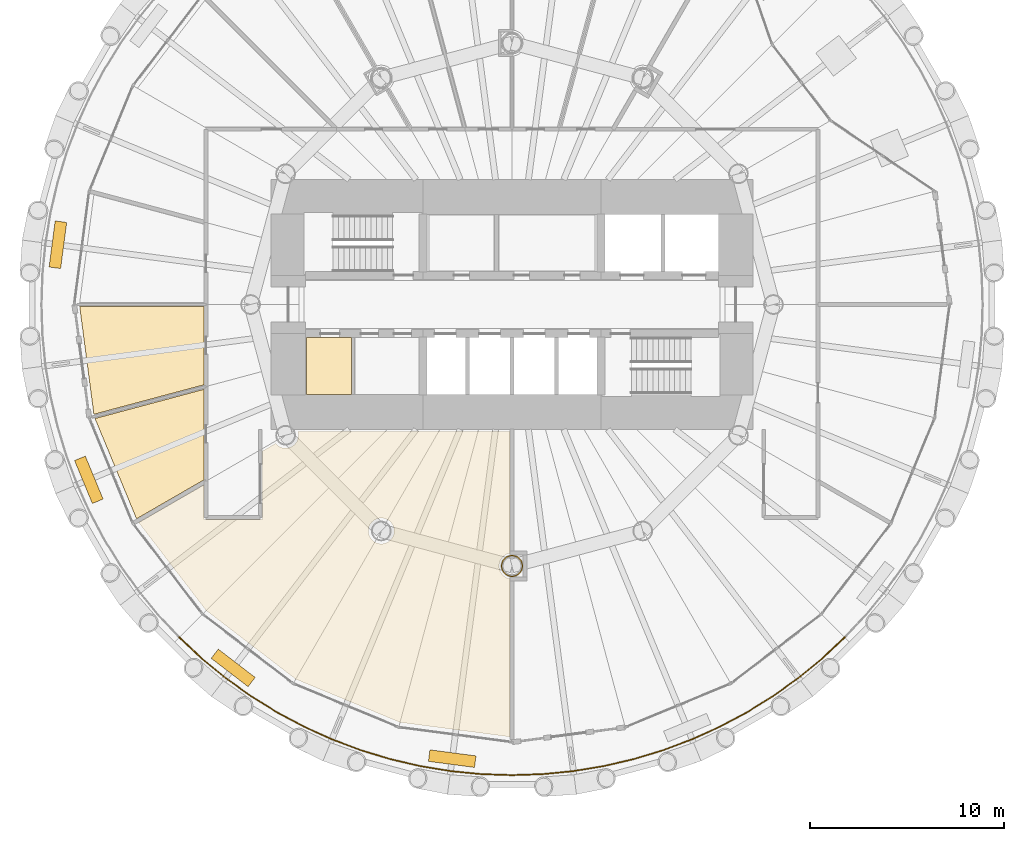
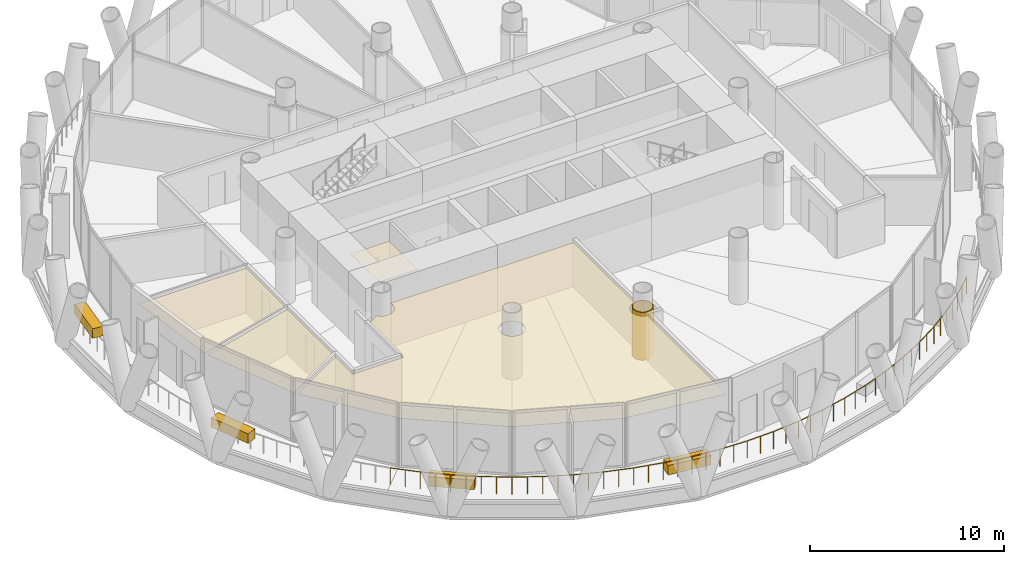
# One storey, part 13 of 16: 9 coverings, 1 railing.
"""IFC4 building model written with IfcOpenShell, lengths in metres."""

from ifc_helpers import new_model, si_unit, direction, frame, origin, origin_2d, place, context, subcontext, project, spatial, polyline, rectangle, circle, outline, extrude, material, layer, layer_set, type_object, element, save


model = new_model("IFC4")

# Units and contexts
model_context = context("Model", 3, precision=1e-05, world=origin(), true_north=direction((0.0, 1.0)))
body_context = subcontext(model_context, "Body", "Model", "MODEL_VIEW")
ifc_project = project(units=[si_unit("LENGTHUNIT", "METRE"), si_unit("AREAUNIT", "SQUARE_METRE"), si_unit("VOLUMEUNIT", "CUBIC_METRE"), si_unit("PLANEANGLEUNIT", "RADIAN"), si_unit("MASSUNIT", "GRAM", prefix="KILO")], contexts=[model_context])

# Site, building, storey
site_placement = place(None, origin())
site = spatial("IfcSite", under=ifc_project, at=site_placement, CompositionType="ELEMENT")
building_placement = place(site_placement, origin())
building = spatial("IfcBuilding", under=site, at=building_placement, Name="Qaws Media Tower", CompositionType="ELEMENT")
storey_placement = place(building_placement, frame((0.0, 0.0, 135.199951171875)))
storey = spatial("IfcBuildingStorey", under=building, at=storey_placement, Name="L30", CompositionType="ELEMENT", Elevation=135.199951171875)

# Railing
ifc_material_1 = material(Name="Stainless steel and glass guard", Category="steel")
railing_type = type_object("IfcRailingType", Name="Balcony guard 1100", PredefinedType="GUARDRAIL", material=ifc_material_1)
railing_placement = place(storey_placement, frame((42.8173828125, 32.8173828125, 0.0)))
element("IfcRailing", 1, at=railing_placement, inside=storey, type_object=railing_type, Name="GR1 balcony guard L30-3", PredefinedType="GUARDRAIL", context=body_context, shape_type="SweptSolid", body=[
    extrude(circle(Radius=0.02392578125, at=origin_2d()), frame((0.0, 0.0, 1.076171875), z_axis=(0.729762203547, -0.683701050367, 0.0), x_axis=(0.683701050367, 0.729762203547, 0.0)), (0.0, 0.0, 1.0), 1.590087890625),
    extrude(circle(Radius=0.02392578125, at=origin_2d()), frame((1.160400390625, -1.087158203125, 1.076171875), z_axis=(0.77301931576, -0.634382485148, 0.0), x_axis=(0.634382485148, 0.77301931576, 0.0)), (0.0, 0.0, 1.0), 1.590087890625),
    extrude(circle(Radius=0.02392578125, at=origin_2d()), frame((2.3896484375, -2.095947265625, 1.076171875), z_axis=(0.812871639536, -0.582442870708, 0.0), x_axis=(0.582442870708, 0.812871639536, 0.0)), (0.0, 0.0, 1.0), 1.59033203125),
    extrude(circle(Radius=0.02392578125, at=origin_2d()), frame((3.682373046875, -3.022216796875, 1.076171875), z_axis=(0.849229502539, -0.528023912354, 0.0), x_axis=(0.528023912354, 0.849229502539, 0.0)), (0.0, 0.0, 1.0), 1.590087890625),
    extrude(circle(Radius=0.02392578125, at=origin_2d()), frame((5.03271484375, -3.86181640625, 1.076171875), z_axis=(0.881936070718, -0.471369035011, 0.0), x_axis=(0.471369035011, 0.881936070718, 0.0)), (0.0, 0.0, 1.0), 1.590087890625),
    extrude(circle(Radius=0.02392578125, at=origin_2d()), frame((6.43505859375, -4.611328125, 1.076171875), z_axis=(0.910849638216, -0.412738339097, 0.0), x_axis=(0.412738339097, 0.910849638216, 0.0)), (0.0, 0.0, 1.0), 1.590087890625),
    extrude(circle(Radius=0.02392578125, at=origin_2d()), frame((7.88330078125, -5.267578125, 1.076171875), z_axis=(0.935874135155, -0.352334504623, 0.0), x_axis=(0.352334504623, 0.935874135155, 0.0)), (0.0, 0.0, 1.0), 1.59033203125),
    extrude(circle(Radius=0.02392578125, at=origin_2d()), frame((9.37158203125, -5.827880859375, 1.076171875), z_axis=(0.956972738036, -0.290177839706, 0.0), x_axis=(0.290177839706, 0.956972738036, 0.0)), (0.0, 0.0, 1.0), 1.590087890625),
    extrude(circle(Radius=0.02392578125, at=origin_2d()), frame((10.893310546875, -6.289306640625, 1.076171875), z_axis=(0.973876305837, -0.227079151243, 0.0), x_axis=(0.227079151243, 0.973876305837, 0.0)), (0.0, 0.0, 1.0), 1.590087890625),
    extrude(circle(Radius=0.02392578125, at=origin_2d()), frame((12.44189453125, -6.650390625, 1.076171875), z_axis=(0.986641774784, -0.162904905547, 0.0), x_axis=(0.162904905547, 0.986641774784, 0.0)), (0.0, 0.0, 1.0), 1.590087890625),
    extrude(circle(Radius=0.02392578125, at=origin_2d()), frame((14.0107421875, -6.909423828125, 1.076171875), z_axis=(0.995176055804, -0.098105137251, 0.0), x_axis=(0.098105137251, 0.995176055804, 0.0)), (0.0, 0.0, 1.0), 1.590087890625),
    extrude(circle(Radius=0.02392578125, at=origin_2d()), frame((15.59326171875, -7.0654296875, 1.076171875), z_axis=(0.999465166364, -0.032701394844, 0.0), x_axis=(0.032701394844, 0.999465166364, 0.0)), (0.0, 0.0, 1.0), 1.590087890625),
    extrude(circle(Radius=0.02392578125, at=origin_2d()), frame((17.1826171875, -7.117431640625, 1.076171875), z_axis=(0.999465166364, 0.032701394844, 0.0), x_axis=(-0.032701394844, 0.999465166364, 0.0)), (0.0, 0.0, 1.0), 1.590087890625),
    extrude(circle(Radius=0.02392578125, at=origin_2d()), frame((18.77197265625, -7.0654296875, 1.076171875), z_axis=(0.995176055804, 0.098105137251, 0.0), x_axis=(-0.098105137251, 0.995176055804, 0.0)), (0.0, 0.0, 1.0), 1.590087890625),
    extrude(circle(Radius=0.02392578125, at=origin_2d()), frame((20.3544921875, -6.909423828125, 1.076171875), z_axis=(0.986641774784, 0.162904905547, 0.0), x_axis=(-0.162904905547, 0.986641774784, 0.0)), (0.0, 0.0, 1.0), 1.590087890625),
    extrude(circle(Radius=0.02392578125, at=origin_2d()), frame((21.92333984375, -6.650390625, 1.076171875), z_axis=(0.973876305837, 0.227079151243, 0.0), x_axis=(-0.227079151243, 0.973876305837, 0.0)), (0.0, 0.0, 1.0), 1.590087890625),
    extrude(circle(Radius=0.02392578125, at=origin_2d()), frame((23.471923828125, -6.289306640625, 1.076171875), z_axis=(0.956972738036, 0.290177839706, 0.0), x_axis=(-0.290177839706, 0.956972738036, 0.0)), (0.0, 0.0, 1.0), 1.590087890625),
    extrude(circle(Radius=0.02392578125, at=origin_2d()), frame((24.99365234375, -5.827880859375, 1.076171875), z_axis=(0.935874135155, 0.352334504623, 0.0), x_axis=(-0.352334504623, 0.935874135155, 0.0)), (0.0, 0.0, 1.0), 1.59033203125),
    extrude(circle(Radius=0.02392578125, at=origin_2d()), frame((26.48193359375, -5.267578125, 1.076171875), z_axis=(0.910849638216, 0.412738339097, 0.0), x_axis=(-0.412738339097, 0.910849638216, 0.0)), (0.0, 0.0, 1.0), 1.590087890625),
    extrude(circle(Radius=0.02392578125, at=origin_2d()), frame((27.93017578125, -4.611328125, 1.076171875), z_axis=(0.881936070718, 0.471369035011, 0.0), x_axis=(-0.471369035011, 0.881936070718, 0.0)), (0.0, 0.0, 1.0), 1.590087890625),
    extrude(circle(Radius=0.02392578125, at=origin_2d()), frame((29.33251953125, -3.86181640625, 1.076171875), z_axis=(0.849229502539, 0.528023912354, 0.0), x_axis=(-0.528023912354, 0.849229502539, 0.0)), (0.0, 0.0, 1.0), 1.590087890625),
    extrude(circle(Radius=0.02392578125, at=origin_2d()), frame((30.682861328125, -3.022216796875, 1.076171875), z_axis=(0.812871639536, 0.582442870708, 0.0), x_axis=(-0.582442870708, 0.812871639536, 0.0)), (0.0, 0.0, 1.0), 1.59033203125),
    extrude(circle(Radius=0.02392578125, at=origin_2d()), frame((31.9755859375, -2.095947265625, 1.076171875), z_axis=(0.77301931576, 0.634382485148, 0.0), x_axis=(-0.634382485148, 0.77301931576, 0.0)), (0.0, 0.0, 1.0), 1.590087890625),
    extrude(circle(Radius=0.02392578125, at=origin_2d()), frame((33.204833984375, -1.087158203125, 1.076171875), z_axis=(0.729762203547, 0.683701050367, 0.0), x_axis=(-0.683701050367, 0.729762203547, 0.0)), (0.0, 0.0, 1.0), 1.590087890625),
    extrude(circle(Radius=0.02099609375, at=origin_2d()), origin(), (0.0, 0.0, 1.0), 1.052001953125),
    extrude(circle(Radius=0.02099609375, at=origin_2d()), frame((0.580078125, -0.54345703125, 0.0)), (0.0, 0.0, 1.0), 1.052001953125),
    extrude(circle(Radius=0.02099609375, at=origin_2d()), frame((1.160400390625, -1.087158203125, 0.0)), (0.0, 0.0, 1.0), 1.052001953125),
    extrude(circle(Radius=0.02099609375, at=origin_2d()), frame((1.77490234375, -1.591552734375, 0.0)), (0.0, 0.0, 1.0), 1.052001953125),
    extrude(circle(Radius=0.02099609375, at=origin_2d()), frame((2.3896484375, -2.095947265625, 0.0)), (0.0, 0.0, 1.0), 1.052001953125),
    extrude(circle(Radius=0.02099609375, at=origin_2d()), frame((3.0361328125, -2.55908203125, 0.0)), (0.0, 0.0, 1.0), 1.052001953125),
    extrude(circle(Radius=0.02099609375, at=origin_2d()), frame((3.682373046875, -3.022216796875, 0.0)), (0.0, 0.0, 1.0), 1.052001953125),
    extrude(circle(Radius=0.02099609375, at=origin_2d()), frame((4.357421875, -3.44189453125, 0.0)), (0.0, 0.0, 1.0), 1.052001953125),
    extrude(circle(Radius=0.02099609375, at=origin_2d()), frame((5.03271484375, -3.86181640625, 0.0)), (0.0, 0.0, 1.0), 1.052001953125),
    extrude(circle(Radius=0.02099609375, at=origin_2d()), frame((5.73388671875, -4.236572265625, 0.0)), (0.0, 0.0, 1.0), 1.052001953125),
    extrude(circle(Radius=0.02099609375, at=origin_2d()), frame((6.43505859375, -4.611328125, 0.0)), (0.0, 0.0, 1.0), 1.052001953125),
    extrude(circle(Radius=0.02099609375, at=origin_2d()), frame((7.1591796875, -4.939453125, 0.0)), (0.0, 0.0, 1.0), 1.052001953125),
    extrude(circle(Radius=0.02099609375, at=origin_2d()), frame((7.88330078125, -5.267578125, 0.0)), (0.0, 0.0, 1.0), 1.052001953125),
    extrude(circle(Radius=0.02099609375, at=origin_2d()), frame((8.62744140625, -5.5478515625, 0.0)), (0.0, 0.0, 1.0), 1.052001953125),
    extrude(circle(Radius=0.02099609375, at=origin_2d()), frame((9.37158203125, -5.827880859375, 0.0)), (0.0, 0.0, 1.0), 1.052001953125),
    extrude(circle(Radius=0.02099609375, at=origin_2d()), frame((10.13232421875, -6.05859375, 0.0)), (0.0, 0.0, 1.0), 1.052001953125),
    extrude(circle(Radius=0.02099609375, at=origin_2d()), frame((10.893310546875, -6.289306640625, 0.0)), (0.0, 0.0, 1.0), 1.052001953125),
    extrude(circle(Radius=0.02099609375, at=origin_2d()), frame((11.66748046875, -6.4697265625, 0.0)), (0.0, 0.0, 1.0), 1.052001953125),
    extrude(circle(Radius=0.02099609375, at=origin_2d()), frame((12.44189453125, -6.650390625, 0.0)), (0.0, 0.0, 1.0), 1.052001953125),
    extrude(circle(Radius=0.02099609375, at=origin_2d()), frame((13.226318359375, -6.77978515625, 0.0)), (0.0, 0.0, 1.0), 1.052001953125),
    extrude(circle(Radius=0.02099609375, at=origin_2d()), frame((14.0107421875, -6.909423828125, 0.0)), (0.0, 0.0, 1.0), 1.052001953125),
    extrude(circle(Radius=0.02099609375, at=origin_2d()), frame((14.802001953125, -6.9873046875, 0.0)), (0.0, 0.0, 1.0), 1.052001953125),
    extrude(circle(Radius=0.02099609375, at=origin_2d()), frame((15.59326171875, -7.0654296875, 0.0)), (0.0, 0.0, 1.0), 1.052001953125),
    extrude(circle(Radius=0.02099609375, at=origin_2d()), frame((16.387939453125, -7.09130859375, 0.0)), (0.0, 0.0, 1.0), 1.052001953125),
    extrude(circle(Radius=0.02099609375, at=origin_2d()), frame((17.1826171875, -7.117431640625, 0.0)), (0.0, 0.0, 1.0), 1.052001953125),
    extrude(circle(Radius=0.02099609375, at=origin_2d()), frame((17.977294921875, -7.09130859375, 0.0)), (0.0, 0.0, 1.0), 1.052001953125),
    extrude(circle(Radius=0.02099609375, at=origin_2d()), frame((18.77197265625, -7.0654296875, 0.0)), (0.0, 0.0, 1.0), 1.052001953125),
    extrude(circle(Radius=0.02099609375, at=origin_2d()), frame((19.563232421875, -6.9873046875, 0.0)), (0.0, 0.0, 1.0), 1.052001953125),
    extrude(circle(Radius=0.02099609375, at=origin_2d()), frame((20.3544921875, -6.909423828125, 0.0)), (0.0, 0.0, 1.0), 1.052001953125),
    extrude(circle(Radius=0.02099609375, at=origin_2d()), frame((21.138916015625, -6.77978515625, 0.0)), (0.0, 0.0, 1.0), 1.052001953125),
    extrude(circle(Radius=0.02099609375, at=origin_2d()), frame((21.92333984375, -6.650390625, 0.0)), (0.0, 0.0, 1.0), 1.052001953125),
    extrude(circle(Radius=0.02099609375, at=origin_2d()), frame((22.69775390625, -6.4697265625, 0.0)), (0.0, 0.0, 1.0), 1.052001953125),
    extrude(circle(Radius=0.02099609375, at=origin_2d()), frame((23.471923828125, -6.289306640625, 0.0)), (0.0, 0.0, 1.0), 1.052001953125),
    extrude(circle(Radius=0.02099609375, at=origin_2d()), frame((24.23291015625, -6.05859375, 0.0)), (0.0, 0.0, 1.0), 1.052001953125),
    extrude(circle(Radius=0.02099609375, at=origin_2d()), frame((24.99365234375, -5.827880859375, 0.0)), (0.0, 0.0, 1.0), 1.052001953125),
    extrude(circle(Radius=0.02099609375, at=origin_2d()), frame((25.73779296875, -5.5478515625, 0.0)), (0.0, 0.0, 1.0), 1.052001953125),
    extrude(circle(Radius=0.02099609375, at=origin_2d()), frame((26.48193359375, -5.267578125, 0.0)), (0.0, 0.0, 1.0), 1.052001953125),
    extrude(circle(Radius=0.02099609375, at=origin_2d()), frame((27.2060546875, -4.939453125, 0.0)), (0.0, 0.0, 1.0), 1.052001953125),
    extrude(circle(Radius=0.02099609375, at=origin_2d()), frame((27.93017578125, -4.611328125, 0.0)), (0.0, 0.0, 1.0), 1.052001953125),
    extrude(circle(Radius=0.02099609375, at=origin_2d()), frame((28.63134765625, -4.236572265625, 0.0)), (0.0, 0.0, 1.0), 1.052001953125),
    extrude(circle(Radius=0.02099609375, at=origin_2d()), frame((29.33251953125, -3.86181640625, 0.0)), (0.0, 0.0, 1.0), 1.052001953125),
    extrude(circle(Radius=0.02099609375, at=origin_2d()), frame((30.0078125, -3.44189453125, 0.0)), (0.0, 0.0, 1.0), 1.052001953125),
    extrude(circle(Radius=0.02099609375, at=origin_2d()), frame((30.682861328125, -3.022216796875, 0.0)), (0.0, 0.0, 1.0), 1.052001953125),
    extrude(circle(Radius=0.02099609375, at=origin_2d()), frame((31.3291015625, -2.55908203125, 0.0)), (0.0, 0.0, 1.0), 1.052001953125),
    extrude(circle(Radius=0.02099609375, at=origin_2d()), frame((31.9755859375, -2.095947265625, 0.0)), (0.0, 0.0, 1.0), 1.052001953125),
    extrude(circle(Radius=0.02099609375, at=origin_2d()), frame((32.59033203125, -1.591552734375, 0.0)), (0.0, 0.0, 1.0), 1.052001953125),
    extrude(circle(Radius=0.02099609375, at=origin_2d()), frame((33.204833984375, -1.087158203125, 0.0)), (0.0, 0.0, 1.0), 1.052001953125),
    extrude(circle(Radius=0.02099609375, at=origin_2d()), frame((33.78515625, -0.54345703125, 0.0)), (0.0, 0.0, 1.0), 1.052001953125),
    extrude(circle(Radius=0.02099609375, at=origin_2d()), frame((34.365234375, 0.0, 0.0)), (0.0, 0.0, 1.0), 1.052001953125),
])

# Coverings
ifc_material_2 = material(Name="Two layers 15 fire-rated gypsum board on steel framing", Category="steel")
ifc_layer_1 = layer(ifc_material_2, 0.050048828125)
ifc_layer_set_1 = layer_set([ifc_layer_1], Name="Column fire casing")
covering_type_1 = type_object("IfcCoveringType", Name="Column fire casing", PredefinedType="CLADDING", material=ifc_layer_set_1)
covering_1_placement = place(storey_placement, origin())
element("IfcCovering", 2, at=covering_1_placement, inside=storey, type_object=covering_type_1, Name="CC1 column casing L30", PredefinedType="CLADDING", context=body_context, shape_type="SweptSolid", body=[
    extrude(outline(polyline([(60.56298828125, 36.5), (60.55810546875, 36.426513671875), (60.543701171875, 36.354248046875), (60.52001953125, 36.284423828125), (60.487548828125, 36.218505859375), (60.44677734375, 36.1572265625), (60.398193359375, 36.101806640625), (60.3427734375, 36.05322265625), (60.281494140625, 36.012451171875), (60.215576171875, 35.97998046875), (60.145751953125, 35.956298828125), (60.073486328125, 35.94189453125), (60.0, 35.93701171875), (59.926513671875, 35.94189453125), (59.854248046875, 35.956298828125), (59.784423828125, 35.97998046875), (59.718505859375, 36.012451171875), (59.6572265625, 36.05322265625), (59.601806640625, 36.101806640625), (59.55322265625, 36.1572265625), (59.512451171875, 36.218505859375), (59.47998046875, 36.284423828125), (59.456298828125, 36.354248046875), (59.44189453125, 36.426513671875), (59.43701171875, 36.5), (59.44189453125, 36.573486328125), (59.456298828125, 36.645751953125), (59.47998046875, 36.715576171875), (59.512451171875, 36.781494140625), (59.55322265625, 36.8427734375), (59.601806640625, 36.898193359375), (59.6572265625, 36.94677734375), (59.718505859375, 36.987548828125), (59.784423828125, 37.02001953125), (59.854248046875, 37.043701171875), (59.926513671875, 37.05810546875), (60.0, 37.06298828125), (60.073486328125, 37.05810546875), (60.145751953125, 37.043701171875), (60.215576171875, 37.02001953125), (60.281494140625, 36.987548828125), (60.3427734375, 36.94677734375), (60.398193359375, 36.898193359375), (60.44677734375, 36.8427734375), (60.487548828125, 36.781494140625), (60.52001953125, 36.715576171875), (60.543701171875, 36.645751953125), (60.55810546875, 36.573486328125), (60.56298828125, 36.5)]), holes=[polyline([(60.510986328125, 36.5), (60.506591796875, 36.433349609375), (60.49365234375, 36.36767578125), (60.47216796875, 36.304443359375), (60.4423828125, 36.244384765625), (60.405517578125, 36.18896484375), (60.361328125, 36.138671875), (60.31103515625, 36.094482421875), (60.255615234375, 36.0576171875), (60.195556640625, 36.02783203125), (60.13232421875, 36.00634765625), (60.066650390625, 35.993408203125), (60.0, 35.989013671875), (59.933349609375, 35.993408203125), (59.86767578125, 36.00634765625), (59.804443359375, 36.02783203125), (59.744384765625, 36.0576171875), (59.68896484375, 36.094482421875), (59.638671875, 36.138671875), (59.594482421875, 36.18896484375), (59.5576171875, 36.244384765625), (59.52783203125, 36.304443359375), (59.50634765625, 36.36767578125), (59.493408203125, 36.433349609375), (59.489013671875, 36.5), (59.493408203125, 36.566650390625), (59.50634765625, 36.63232421875), (59.52783203125, 36.695556640625), (59.5576171875, 36.755615234375), (59.594482421875, 36.81103515625), (59.638671875, 36.861328125), (59.68896484375, 36.905517578125), (59.744384765625, 36.9423828125), (59.804443359375, 36.97216796875), (59.86767578125, 36.99365234375), (59.933349609375, 37.006591796875), (60.0, 37.010986328125), (60.066650390625, 37.006591796875), (60.13232421875, 36.99365234375), (60.195556640625, 36.97216796875), (60.255615234375, 36.9423828125), (60.31103515625, 36.905517578125), (60.361328125, 36.861328125), (60.405517578125, 36.81103515625), (60.4423828125, 36.755615234375), (60.47216796875, 36.695556640625), (60.49365234375, 36.63232421875), (60.506591796875, 36.566650390625), (60.510986328125, 36.5)])]), origin(), (0.0, 0.0, 1.0), 3.02001953125),
])
ifc_material_3 = material(Name="600 x 600 mineral fibre tiles in exposed grid, suspended", Category="mineral fibre")
ifc_layer_2 = layer(ifc_material_3, 0.02001953125)
ifc_layer_set_2 = layer_set([ifc_layer_2], Name="Mineral fibre tile ceiling 20")
covering_type_2 = type_object("IfcCoveringType", Name="Mineral fibre tile ceiling 20", PredefinedType="CEILING", material=ifc_layer_set_2)
covering_2_placement = place(storey_placement, frame((0.0, 0.0, 2.85009765625)))
element("IfcCovering", 3, at=covering_2_placement, inside=storey, type_object=covering_type_2, Name="CL1 ceiling L30-10 Office", PredefinedType="CEILING", context=body_context, shape_type="SweptSolid", body=[
    extrude(outline(polyline([(37.6796875, 49.887451171875), (44.08740234375, 49.887451171875), (44.08740234375, 45.852783203125), (38.410888671875, 44.331787109375), (37.6796875, 49.887451171875)])), origin(), (0.0, 0.0, 1.0), 0.02001953125),
])
covering_3_placement = place(storey_placement, frame((0.0, 0.0, 2.85009765625)))
element("IfcCovering", 4, at=covering_3_placement, inside=storey, type_object=covering_type_2, Name="CL1 ceiling L30-11 Office", PredefinedType="CEILING", context=body_context, shape_type="SweptSolid", body=[
    extrude(outline(polyline([(38.46923828125, 44.114501953125), (44.08740234375, 45.619873046875), (44.08740234375, 40.94287109375), (40.61376953125, 38.937255859375), (38.46923828125, 44.114501953125)])), origin(), (0.0, 0.0, 1.0), 0.02001953125),
])
covering_4_placement = place(storey_placement, frame((0.0, 0.0, 2.85009765625)))
element("IfcCovering", 5, at=covering_4_placement, inside=storey, type_object=covering_type_2, Name="CL1 ceiling L30-12 Paralegal office", PredefinedType="CEILING", context=body_context, shape_type="SweptSolid", body=[
    extrude(outline(polyline([(54.21923828125, 28.42578125), (48.83251953125, 30.656982421875), (44.20654296875, 34.20654296875), (40.726318359375, 38.742431640625), (44.08740234375, 40.68310546875), (44.08740234375, 38.887451171875), (47.112548828125, 38.887451171875), (47.112548828125, 42.429443359375), (47.795654296875, 42.823974609375), (47.836181640625, 42.777587890625), (47.902099609375, 42.719970703125), (47.974609375, 42.67138671875), (48.052978515625, 42.6328125), (48.1357421875, 42.604736328125), (48.221435546875, 42.587646484375), (48.30859375, 42.58203125), (48.395751953125, 42.587646484375), (48.4814453125, 42.604736328125), (48.564208984375, 42.6328125), (48.642578125, 42.67138671875), (48.71533203125, 42.719970703125), (48.781005859375, 42.777587890625), (48.838623046875, 42.84326171875), (48.88720703125, 42.916015625), (48.92578125, 42.994384765625), (48.953857421875, 43.0771484375), (48.970947265625, 43.162841796875), (48.976806640625, 43.25), (48.970947265625, 43.337158203125), (48.953857421875, 43.4228515625), (48.948974609375, 43.4375), (59.887451171875, 43.4375), (59.887451171875, 37.1572265625), (59.8271484375, 37.145263671875), (59.744384765625, 37.1171875), (59.666015625, 37.07861328125), (59.59326171875, 37.030029296875), (59.527587890625, 36.972412109375), (59.469970703125, 36.90673828125), (59.42138671875, 36.833984375), (59.3828125, 36.755615234375), (59.354736328125, 36.6728515625), (59.337646484375, 36.587158203125), (59.33203125, 36.5), (59.337646484375, 36.412841796875), (59.354736328125, 36.3271484375), (59.3828125, 36.244384765625), (59.42138671875, 36.166015625), (59.469970703125, 36.09326171875), (59.527587890625, 36.027587890625), (59.59326171875, 35.969970703125), (59.666015625, 35.92138671875), (59.744384765625, 35.8828125), (59.8271484375, 35.854736328125), (59.887451171875, 35.8427734375), (59.887451171875, 27.6796875), (54.21923828125, 28.42578125)]), holes=[polyline([(53.895263671875, 38.1357421875), (53.912353515625, 38.221435546875), (53.91796875, 38.30859375), (53.912353515625, 38.395751953125), (53.895263671875, 38.4814453125), (53.8671875, 38.564208984375), (53.82861328125, 38.642578125), (53.780029296875, 38.71533203125), (53.722412109375, 38.781005859375), (53.65673828125, 38.838623046875), (53.583984375, 38.88720703125), (53.505615234375, 38.92578125), (53.4228515625, 38.953857421875), (53.337158203125, 38.970947265625), (53.25, 38.976806640625), (53.162841796875, 38.970947265625), (53.0771484375, 38.953857421875), (52.994384765625, 38.92578125), (52.916015625, 38.88720703125), (52.84326171875, 38.838623046875), (52.777587890625, 38.781005859375), (52.719970703125, 38.71533203125), (52.67138671875, 38.642578125), (52.6328125, 38.564208984375), (52.604736328125, 38.4814453125), (52.587646484375, 38.395751953125), (52.58203125, 38.30859375), (52.587646484375, 38.221435546875), (52.604736328125, 38.1357421875), (52.6328125, 38.052978515625), (52.67138671875, 37.974609375), (52.719970703125, 37.902099609375), (52.777587890625, 37.836181640625), (52.84326171875, 37.77880859375), (52.916015625, 37.730224609375), (52.994384765625, 37.69140625), (53.0771484375, 37.663330078125), (53.162841796875, 37.646484375), (53.25, 37.640625), (53.337158203125, 37.646484375), (53.4228515625, 37.663330078125), (53.505615234375, 37.69140625), (53.583984375, 37.730224609375), (53.65673828125, 37.77880859375), (53.722412109375, 37.836181640625), (53.780029296875, 37.902099609375), (53.82861328125, 37.974609375), (53.8671875, 38.052978515625), (53.895263671875, 38.1357421875)])]), origin(), (0.0, 0.0, 1.0), 0.02001953125),
])
ifc_material_4 = material(Name="Precast concrete planter with trailing planting", Category="concrete")
ifc_layer_3 = layer(ifc_material_4, 0.60009765625)
ifc_layer_set_3 = layer_set([ifc_layer_3], Name="Planter 2400x600")
covering_type_3 = type_object("IfcCoveringType", Name="Planter 2400x600", PredefinedType="USERDEFINED", material=ifc_layer_set_3)
for number, where, z_axis, x_axis, name in (
    (6, (36.55224609375, 53.0869140625, 0.0), (0.0, 0.0, 1.0), (-0.13052619222, -0.991444861374, 0.0), "PL1 balcony planter L30-06"),
    (7, (38.150146484375, 40.949462890625, 0.0), (0.0, 0.0, 1.0), (0.382683432365, -0.923879532511, 0.0), "PL1 balcony planter L30-07"),
    (8, (45.602783203125, 31.2373046875, 0.0), (0.0, 0.0, 1.0), (0.793353340291, -0.608761429009, 0.0), "PL1 balcony planter L30-08"),
    (9, (56.9130859375, 26.55224609375, 0.0), (0.0, 0.0, 1.0), (0.991444861374, -0.13052619222, 0.0), "PL1 balcony planter L30-09"),
):
    element("IfcCovering", number, at=place(storey_placement, frame(where, z_axis=z_axis, x_axis=x_axis)), inside=storey, type_object=covering_type_3, Name=name, ObjectType="PLANTER", PredefinedType="USERDEFINED", context=body_context, shape_type="SweptSolid", body=[
        extrude(rectangle(XDim=2.39990234375, YDim=0.60009765625, at=origin_2d()), origin(), (0.0, 0.0, 1.0), 0.60009765625),
    ])
ifc_material_5 = material(Name="Two layers 12.5 moisture-resistant plasterboard on suspended metal furring", Category="gypsum")
ifc_layer_4 = layer(ifc_material_5, 0.02490234375)
ifc_layer_set_4 = layer_set([ifc_layer_4], Name="Plasterboard ceiling 25")
covering_type_4 = type_object("IfcCoveringType", Name="Plasterboard ceiling 25", PredefinedType="CEILING", material=ifc_layer_set_4)
covering_5_placement = place(storey_placement, frame((0.0, 0.0, 2.85009765625)))
element("IfcCovering", 10, at=covering_5_placement, inside=storey, type_object=covering_type_4, Name="CL2 ceiling L30-C04 Accessible WC", PredefinedType="CEILING", context=body_context, shape_type="SweptSolid", body=[
    extrude(outline(polyline([(49.39990234375, 45.35009765625), (49.39990234375, 48.300048828125), (51.699951171875, 48.300048828125), (51.699951171875, 45.35009765625), (49.39990234375, 45.35009765625)])), origin(), (0.0, 0.0, 1.0), 0.02490234375),
])

save(model, "model.ifc")
